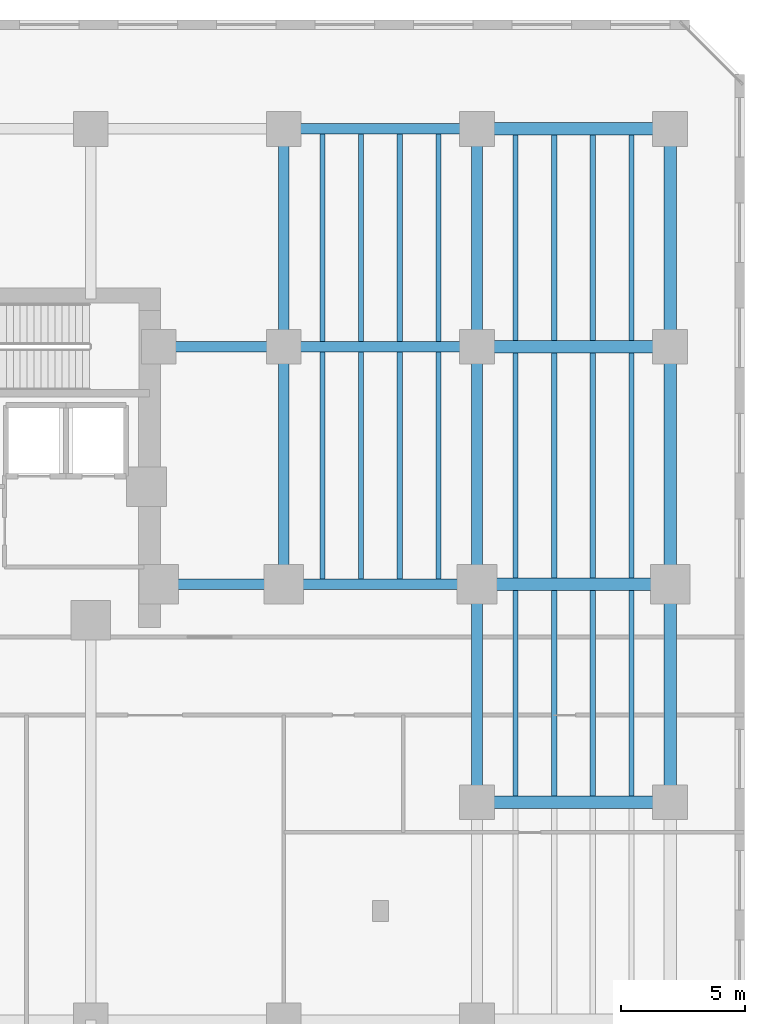
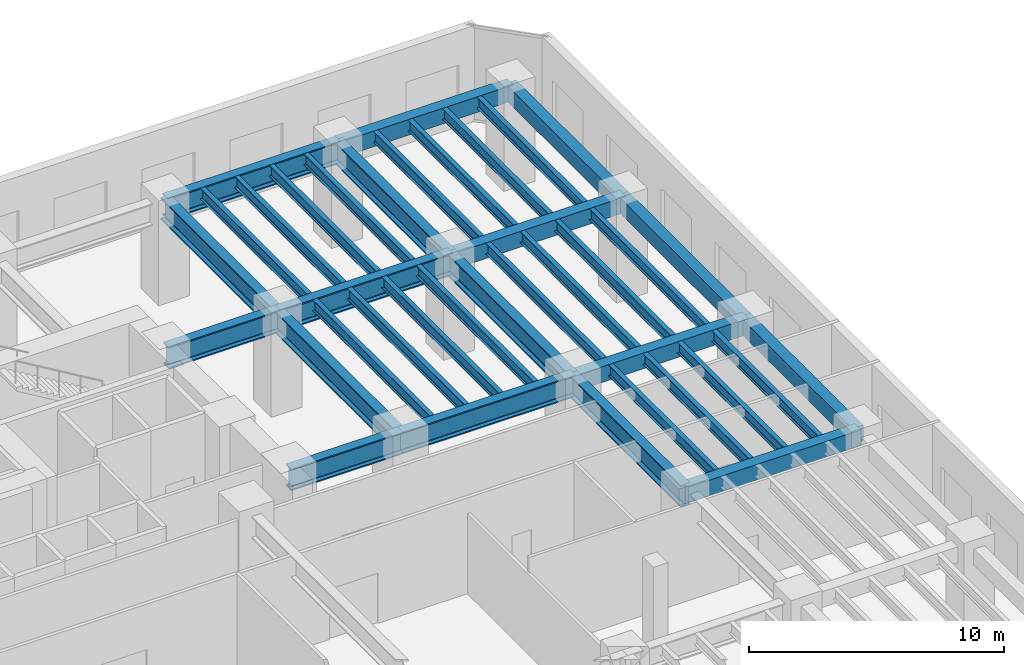
# One storey, part 7 of 20: 37 beams.
"""IFC4 building model written with IfcOpenShell, lengths in metres."""

from ifc_helpers import new_model, si_unit, direction, frame, origin, origin_2d, place, context, subcontext, project, spatial, rectangle, i_section, extrude, material, material_profile, profile_set, type_object, element, save


model = new_model("IFC4")

# Units and contexts
model_context = context("Model", 3, precision=1e-05, world=origin(), true_north=direction((0.0, 1.0)))
body_context = subcontext(model_context, "Body", "Model", "MODEL_VIEW")
ifc_project = project(units=[si_unit("LENGTHUNIT", "METRE"), si_unit("AREAUNIT", "SQUARE_METRE"), si_unit("VOLUMEUNIT", "CUBIC_METRE"), si_unit("PLANEANGLEUNIT", "RADIAN"), si_unit("MASSUNIT", "GRAM", prefix="KILO")], contexts=[model_context])

# Site, building, storey
site_placement = place(None, origin())
site = spatial("IfcSite", under=ifc_project, at=site_placement, CompositionType="ELEMENT")
building_placement = place(site_placement, origin())
building = spatial("IfcBuilding", under=site, at=building_placement, Name="Kestravale Grand Hotel", CompositionType="ELEMENT")
storey_placement = place(building_placement, frame((0.0, 0.0, 15.800048828125)))
storey = spatial("IfcBuildingStorey", under=building, at=storey_placement, Name="L03", CompositionType="ELEMENT", Elevation=15.800048828125)

# Beams
ifc_material_1 = material(Name="Steel ASTM A992 Grade 50", Category="steel")
ifc_material_profile_1 = material_profile(ifc_material_1, i_section(OverallWidth=0.2099609375, OverallDepth=0.535888671875, WebThickness=0.010986328125, FlangeThickness=0.017333984375, FilletRadius=0.017578125, at=origin_2d()))
ifc_profile_set_1 = profile_set([ifc_material_profile_1], Name="Steel ASTM A992 Grade 50")
beam_type_1 = type_object("IfcBeamType", Name="B-FLR-JST21", PredefinedType="JOIST", material=ifc_profile_set_1)
for number, where, z_axis, x_axis, name in (
    (1, (63.9599609375, 29.013427734375, 4.31201171875), (0.0, 1.0, 0.0), (-1.0, 0.0, 0.0), "L03 floor joist 10-11/E-F #1"),
    (2, (65.52001953125, 29.013427734375, 4.31201171875), (0.0, 1.0, 0.0), (-1.0, 0.0, 0.0), "L03 floor joist 10-11/E-F #2"),
    (3, (67.080078125, 29.013427734375, 4.31201171875), (0.0, 1.0, 0.0), (-1.0, 0.0, 0.0), "L03 floor joist 10-11/E-F #3"),
    (4, (68.639892578125, 29.013427734375, 4.31201171875), (0.0, 1.0, 0.0), (-1.0, 0.0, 0.0), "L03 floor joist 10-11/E-F #4"),
):
    element("IfcBeam", number, at=place(storey_placement, frame(where, z_axis=z_axis, x_axis=x_axis)), inside=storey, type_object=beam_type_1, Name=name, PredefinedType="JOIST", context=body_context, shape_type="SweptSolid", body=[
        extrude(i_section(OverallWidth=0.2099609375, OverallDepth=0.535888671875, WebThickness=0.010986328125, FlangeThickness=0.017333984375, FilletRadius=0.017578125, at=origin_2d()), origin(), (0.0, 0.0, 1.0), 9.173095703125),
    ])
for number, where, z_axis, x_axis, name in (
    (5, (63.9599609375, 38.613525390625, 4.31201171875), (0.0, 1.0, 0.0), (-1.0, 0.0, 0.0), "L03 floor joist 10-11/F-G #1"),
    (6, (65.52001953125, 38.613525390625, 4.31201171875), (0.0, 1.0, 0.0), (-1.0, 0.0, 0.0), "L03 floor joist 10-11/F-G #2"),
    (7, (67.080078125, 38.613525390625, 4.31201171875), (0.0, 1.0, 0.0), (-1.0, 0.0, 0.0), "L03 floor joist 10-11/F-G #3"),
    (8, (68.639892578125, 38.613525390625, 4.31201171875), (0.0, 1.0, 0.0), (-1.0, 0.0, 0.0), "L03 floor joist 10-11/F-G #4"),
):
    element("IfcBeam", number, at=place(storey_placement, frame(where, z_axis=z_axis, x_axis=x_axis)), inside=storey, type_object=beam_type_1, Name=name, PredefinedType="JOIST", context=body_context, shape_type="SweptSolid", body=[
        extrude(i_section(OverallWidth=0.2099609375, OverallDepth=0.535888671875, WebThickness=0.010986328125, FlangeThickness=0.017333984375, FilletRadius=0.017578125, at=origin_2d()), origin(), (0.0, 0.0, 1.0), 8.373046875),
    ])
for number, where, z_axis, x_axis, name in (
    (9, (71.760009765625, 20.25, 4.31201171875), (0.0, 1.0, 0.0), (-1.0, 0.0, 0.0), "L03 floor joist 11-12/D-E #1"),
    (10, (73.320068359375, 20.25, 4.31201171875), (0.0, 1.0, 0.0), (-1.0, 0.0, 0.0), "L03 floor joist 11-12/D-E #2"),
    (11, (74.8798828125, 20.25, 4.31201171875), (0.0, 1.0, 0.0), (-1.0, 0.0, 0.0), "L03 floor joist 11-12/D-E #3"),
    (12, (76.43994140625, 20.25, 4.31201171875), (0.0, 1.0, 0.0), (-1.0, 0.0, 0.0), "L03 floor joist 11-12/D-E #4"),
):
    element("IfcBeam", number, at=place(storey_placement, frame(where, z_axis=z_axis, x_axis=x_axis)), inside=storey, type_object=beam_type_1, Name=name, PredefinedType="JOIST", context=body_context, shape_type="SweptSolid", body=[
        extrude(i_section(OverallWidth=0.2099609375, OverallDepth=0.535888671875, WebThickness=0.010986328125, FlangeThickness=0.017333984375, FilletRadius=0.017578125, at=origin_2d()), origin(), (0.0, 0.0, 1.0), 8.300048828125),
    ])
for number, where, z_axis, x_axis, name in (
    (13, (71.760009765625, 29.050048828125, 4.31201171875), (0.0, 1.0, 0.0), (-1.0, 0.0, 0.0), "L03 floor joist 11-12/E-F #1"),
    (14, (73.320068359375, 29.050048828125, 4.31201171875), (0.0, 1.0, 0.0), (-1.0, 0.0, 0.0), "L03 floor joist 11-12/E-F #2"),
    (15, (74.8798828125, 29.050048828125, 4.31201171875), (0.0, 1.0, 0.0), (-1.0, 0.0, 0.0), "L03 floor joist 11-12/E-F #3"),
    (16, (76.43994140625, 29.050048828125, 4.31201171875), (0.0, 1.0, 0.0), (-1.0, 0.0, 0.0), "L03 floor joist 11-12/E-F #4"),
):
    element("IfcBeam", number, at=place(storey_placement, frame(where, z_axis=z_axis, x_axis=x_axis)), inside=storey, type_object=beam_type_1, Name=name, PredefinedType="JOIST", context=body_context, shape_type="SweptSolid", body=[
        extrude(i_section(OverallWidth=0.2099609375, OverallDepth=0.535888671875, WebThickness=0.010986328125, FlangeThickness=0.017333984375, FilletRadius=0.017578125, at=origin_2d()), origin(), (0.0, 0.0, 1.0), 9.099853515625),
    ])
for number, where, z_axis, x_axis, name in (
    (17, (71.760009765625, 38.64990234375, 4.31201171875), (0.0, 1.0, 0.0), (-1.0, 0.0, 0.0), "L03 floor joist 11-12/F-G #1"),
    (18, (73.320068359375, 38.64990234375, 4.31201171875), (0.0, 1.0, 0.0), (-1.0, 0.0, 0.0), "L03 floor joist 11-12/F-G #2"),
    (19, (74.8798828125, 38.64990234375, 4.31201171875), (0.0, 1.0, 0.0), (-1.0, 0.0, 0.0), "L03 floor joist 11-12/F-G #3"),
    (20, (76.43994140625, 38.64990234375, 4.31201171875), (0.0, 1.0, 0.0), (-1.0, 0.0, 0.0), "L03 floor joist 11-12/F-G #4"),
):
    element("IfcBeam", number, at=place(storey_placement, frame(where, z_axis=z_axis, x_axis=x_axis)), inside=storey, type_object=beam_type_1, Name=name, PredefinedType="JOIST", context=body_context, shape_type="SweptSolid", body=[
        extrude(i_section(OverallWidth=0.2099609375, OverallDepth=0.535888671875, WebThickness=0.010986328125, FlangeThickness=0.017333984375, FilletRadius=0.017578125, at=origin_2d()), origin(), (0.0, 0.0, 1.0), 8.300048828125),
    ])
ifc_material_2 = material(Name="Concrete f'c 45 MPa", Category="concrete")
ifc_material_profile_2 = material_profile(ifc_material_2, rectangle(XDim=0.5, YDim=0.75, at=origin_2d()))
ifc_profile_set_2 = profile_set([ifc_material_profile_2], Name="Concrete f'c 45 MPa")
beam_type_2 = type_object("IfcBeamType", Name="B-FLR-RC750", PredefinedType="SPANDREL", material=ifc_profile_set_2)
for number, where, z_axis, x_axis, name in (
    (21, (70.199951171875, 20.0, 4.204833984375), (1.0, 0.0, 0.0), (0.0, 1.0, 0.0), "L03 spandrel D:11-12"),
    (22, (70.199951171875, 28.800048828125, 4.204833984375), (1.0, 0.0, 0.0), (0.0, 1.0, 0.0), "L03 spandrel E:11-12"),
    (23, (70.199951171875, 38.39990234375, 4.204833984375), (1.0, 0.0, 0.0), (0.0, 1.0, 0.0), "L03 spandrel F:11-12"),
    (24, (70.199951171875, 47.199951171875, 4.204833984375), (1.0, 0.0, 0.0), (0.0, 1.0, 0.0), "L03 spandrel G:11-12"),
):
    element("IfcBeam", number, at=place(storey_placement, frame(where, z_axis=z_axis, x_axis=x_axis)), inside=storey, type_object=beam_type_2, Name=name, PredefinedType="SPANDREL", context=body_context, shape_type="SweptSolid", body=[
        extrude(rectangle(XDim=0.5, YDim=0.75, at=origin_2d()), origin(), (0.0, 0.0, 1.0), 7.800048828125),
    ])
beam_1_placement = place(storey_placement, frame((78.0, 20.0, 4.204833984375), z_axis=(0.0, 1.0, 0.0), x_axis=(-1.0, 0.0, 0.0)))
element("IfcBeam", 25, at=beam_1_placement, inside=storey, type_object=beam_type_2, Name="L03 spandrel 12:D-E", PredefinedType="SPANDREL", context=body_context, shape_type="SweptSolid", body=[
    extrude(rectangle(XDim=0.5, YDim=0.75, at=origin_2d()), origin(), (0.0, 0.0, 1.0), 8.800048828125),
])
beam_2_placement = place(storey_placement, frame((78.0, 28.800048828125, 4.204833984375), z_axis=(0.0, 1.0, 0.0), x_axis=(-1.0, 0.0, 0.0)))
element("IfcBeam", 26, at=beam_2_placement, inside=storey, type_object=beam_type_2, Name="L03 spandrel 12:E-F", PredefinedType="SPANDREL", context=body_context, shape_type="SweptSolid", body=[
    extrude(rectangle(XDim=0.5, YDim=0.75, at=origin_2d()), origin(), (0.0, 0.0, 1.0), 9.599853515625),
])
beam_3_placement = place(storey_placement, frame((78.0, 38.39990234375, 4.204833984375), z_axis=(0.0, 1.0, 0.0), x_axis=(-1.0, 0.0, 0.0)))
element("IfcBeam", 27, at=beam_3_placement, inside=storey, type_object=beam_type_2, Name="L03 spandrel 12:F-G", PredefinedType="SPANDREL", context=body_context, shape_type="SweptSolid", body=[
    extrude(rectangle(XDim=0.5, YDim=0.75, at=origin_2d()), origin(), (0.0, 0.0, 1.0), 8.800048828125),
])
ifc_material_3 = material(Name="Steel ASTM A992 Grade 50", Category="steel")
ifc_material_profile_3 = material_profile(ifc_material_3, i_section(OverallWidth=0.427001953125, OverallDepth=1.0400390625, WebThickness=0.031005859375, FlangeThickness=0.055908203125, FilletRadius=0.028076171875, at=origin_2d()))
ifc_profile_set_3 = profile_set([ifc_material_profile_3], Name="Steel ASTM A992 Grade 50")
beam_type_3 = type_object("IfcBeamType", Name="B-GRD-W40", PredefinedType="BEAM", material=ifc_profile_set_3)
beam_4_placement = place(storey_placement, frame((57.35009765625, 28.800048828125, 4.06005859375), z_axis=(1.0, 0.0, 0.0), x_axis=(0.0, 1.0, 0.0)))
element("IfcBeam", 28, at=beam_4_placement, inside=storey, type_object=beam_type_3, Name="L03 girder E:CE-10", PredefinedType="BEAM", context=body_context, shape_type="SweptSolid", body=[
    extrude(i_section(OverallWidth=0.427001953125, OverallDepth=1.0400390625, WebThickness=0.031005859375, FlangeThickness=0.055908203125, FilletRadius=0.028076171875, at=origin_2d()), origin(), (0.0, 0.0, 1.0), 5.0498046875),
])
beam_5_placement = place(storey_placement, frame((62.39990234375, 28.800048828125, 4.06005859375), z_axis=(1.0, 0.0, 0.0), x_axis=(0.0, 1.0, 0.0)))
element("IfcBeam", 29, at=beam_5_placement, inside=storey, type_object=beam_type_3, Name="L03 girder E:10-11", PredefinedType="BEAM", context=body_context, shape_type="SweptSolid", body=[
    extrude(i_section(OverallWidth=0.427001953125, OverallDepth=1.0400390625, WebThickness=0.031005859375, FlangeThickness=0.055908203125, FilletRadius=0.028076171875, at=origin_2d()), origin(), (0.0, 0.0, 1.0), 7.800048828125),
])
beam_6_placement = place(storey_placement, frame((57.35009765625, 38.39990234375, 4.06005859375), z_axis=(1.0, 0.0, 0.0), x_axis=(0.0, 1.0, 0.0)))
element("IfcBeam", 30, at=beam_6_placement, inside=storey, type_object=beam_type_3, Name="L03 girder F:CE-10", PredefinedType="BEAM", context=body_context, shape_type="SweptSolid", body=[
    extrude(i_section(OverallWidth=0.427001953125, OverallDepth=1.0400390625, WebThickness=0.031005859375, FlangeThickness=0.055908203125, FilletRadius=0.028076171875, at=origin_2d()), origin(), (0.0, 0.0, 1.0), 5.0498046875),
])
for number, where, z_axis, x_axis, name in (
    (31, (62.39990234375, 38.39990234375, 4.06005859375), (1.0, 0.0, 0.0), (0.0, 1.0, 0.0), "L03 girder F:10-11"),
    (32, (62.39990234375, 47.199951171875, 4.06005859375), (1.0, 0.0, 0.0), (0.0, 1.0, 0.0), "L03 girder G:10-11"),
):
    element("IfcBeam", number, at=place(storey_placement, frame(where, z_axis=z_axis, x_axis=x_axis)), inside=storey, type_object=beam_type_3, Name=name, PredefinedType="BEAM", context=body_context, shape_type="SweptSolid", body=[
        extrude(i_section(OverallWidth=0.427001953125, OverallDepth=1.0400390625, WebThickness=0.031005859375, FlangeThickness=0.055908203125, FilletRadius=0.028076171875, at=origin_2d()), origin(), (0.0, 0.0, 1.0), 7.800048828125),
    ])
beam_7_placement = place(storey_placement, frame((62.39990234375, 28.800048828125, 4.06005859375), z_axis=(0.0, 1.0, 0.0), x_axis=(-1.0, 0.0, 0.0)))
element("IfcBeam", 33, at=beam_7_placement, inside=storey, type_object=beam_type_3, Name="L03 girder 10:E-F", PredefinedType="BEAM", context=body_context, shape_type="SweptSolid", body=[
    extrude(i_section(OverallWidth=0.427001953125, OverallDepth=1.0400390625, WebThickness=0.031005859375, FlangeThickness=0.055908203125, FilletRadius=0.028076171875, at=origin_2d()), origin(), (0.0, 0.0, 1.0), 9.599853515625),
])
for number, where, z_axis, x_axis, name in (
    (34, (62.39990234375, 38.39990234375, 4.06005859375), (0.0, 1.0, 0.0), (-1.0, 0.0, 0.0), "L03 girder 10:F-G"),
    (35, (70.199951171875, 20.0, 4.06005859375), (0.0, 1.0, 0.0), (-1.0, 0.0, 0.0), "L03 girder 11:D-E"),
):
    element("IfcBeam", number, at=place(storey_placement, frame(where, z_axis=z_axis, x_axis=x_axis)), inside=storey, type_object=beam_type_3, Name=name, PredefinedType="BEAM", context=body_context, shape_type="SweptSolid", body=[
        extrude(i_section(OverallWidth=0.427001953125, OverallDepth=1.0400390625, WebThickness=0.031005859375, FlangeThickness=0.055908203125, FilletRadius=0.028076171875, at=origin_2d()), origin(), (0.0, 0.0, 1.0), 8.800048828125),
    ])
beam_8_placement = place(storey_placement, frame((70.199951171875, 28.800048828125, 4.06005859375), z_axis=(0.0, 1.0, 0.0), x_axis=(-1.0, 0.0, 0.0)))
element("IfcBeam", 36, at=beam_8_placement, inside=storey, type_object=beam_type_3, Name="L03 girder 11:E-F", PredefinedType="BEAM", context=body_context, shape_type="SweptSolid", body=[
    extrude(i_section(OverallWidth=0.427001953125, OverallDepth=1.0400390625, WebThickness=0.031005859375, FlangeThickness=0.055908203125, FilletRadius=0.028076171875, at=origin_2d()), origin(), (0.0, 0.0, 1.0), 9.599853515625),
])
beam_9_placement = place(storey_placement, frame((70.199951171875, 38.39990234375, 4.06005859375), z_axis=(0.0, 1.0, 0.0), x_axis=(-1.0, 0.0, 0.0)))
element("IfcBeam", 37, at=beam_9_placement, inside=storey, type_object=beam_type_3, Name="L03 girder 11:F-G", PredefinedType="BEAM", context=body_context, shape_type="SweptSolid", body=[
    extrude(i_section(OverallWidth=0.427001953125, OverallDepth=1.0400390625, WebThickness=0.031005859375, FlangeThickness=0.055908203125, FilletRadius=0.028076171875, at=origin_2d()), origin(), (0.0, 0.0, 1.0), 8.800048828125),
])

save(model, "model.ifc")
